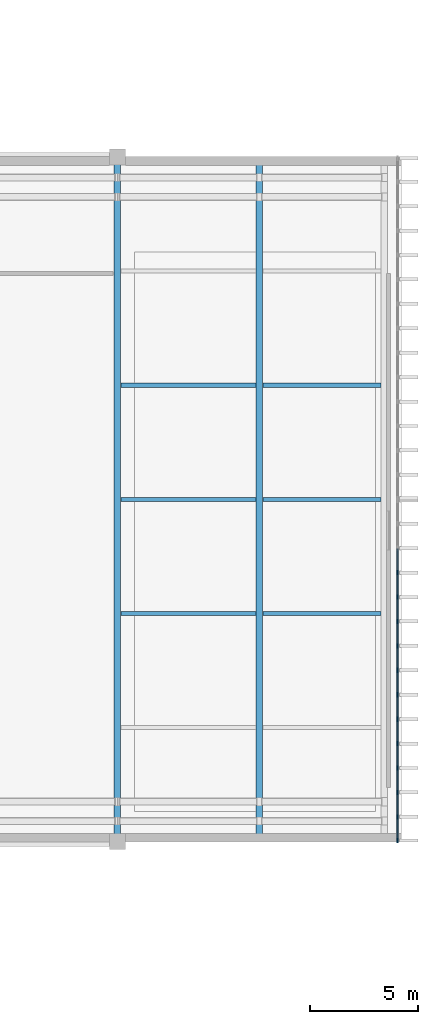
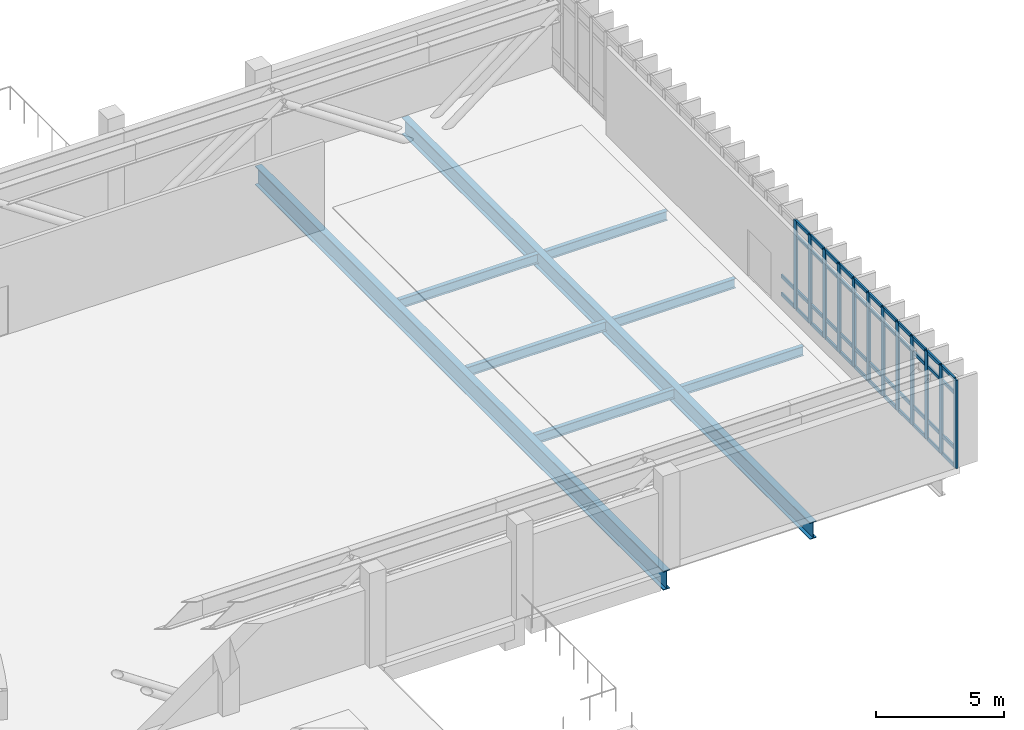
# One storey, part 23 of 54: 58 members, 8 beams, 1 element without a shape of its own.
"""IFC4 building model written with IfcOpenShell, lengths in metres."""

from ifc_helpers import new_model, si_unit, direction, frame, origin, origin_2d, place, context, subcontext, project, spatial, rectangle, i_section, extrude, material, layer, layer_set, material_profile, profile_set, type_object, element, aggregate, save


model = new_model("IFC4")

# Units and contexts
model_context = context("Model", 3, precision=1e-05, world=origin(), true_north=direction((0.0, 1.0)))
body_context = subcontext(model_context, "Body", "Model", "MODEL_VIEW")
ifc_project = project(units=[si_unit("LENGTHUNIT", "METRE"), si_unit("AREAUNIT", "SQUARE_METRE"), si_unit("VOLUMEUNIT", "CUBIC_METRE"), si_unit("PLANEANGLEUNIT", "RADIAN"), si_unit("MASSUNIT", "GRAM", prefix="KILO")], contexts=[model_context])

# Site, building, storey
site_placement = place(None, origin())
site = spatial("IfcSite", under=ifc_project, at=site_placement, CompositionType="ELEMENT")
building_placement = place(site_placement, origin())
building = spatial("IfcBuilding", under=site, at=building_placement, Name="Kelarvand Opera House", CompositionType="ELEMENT")
storey_placement = place(building_placement, frame((0.0, 0.0, 15.0)))
storey = spatial("IfcBuildingStorey", under=building, at=storey_placement, Name="L03", CompositionType="ELEMENT", Elevation=15.0)

# Curtain wall, members
ifc_material_1 = material(Name="Thermally broken aluminium and low-E glazing", Category="aluminium")
ifc_layer = layer(ifc_material_1, 0.219970703125, Name="Thermally broken aluminium and low-E glazing", Category="aluminium")
ifc_layer_set = layer_set([ifc_layer], Name="Thermally broken aluminium and low-E glazing")
curtain_wall_type = type_object("IfcCurtainWallType", Name="Unitised Low-E Curtain Wall 15886x4200 Mod 1150 CWF-07", PredefinedType="USERDEFINED", material=ifc_layer_set)
curtain_wall_placement = place(storey_placement, origin())
curtain_wall = element("IfcCurtainWall", 1, at=curtain_wall_placement, inside=storey, type_object=curtain_wall_type, Name="V1 L03 Curtain Wall CWF-07 (22)", ObjectType="UNITISED CURTAIN WALL", PredefinedType="USERDEFINED")
ifc_material_2 = material(Name="Thermally broken anodised aluminium", Category="aluminium")
ifc_material_profile_1 = material_profile(ifc_material_2, rectangle(XDim=0.074951171875, YDim=0.219970703125, at=origin_2d()), Name="ALU MULLION 75x220", Category="aluminium")
ifc_profile_set_1 = profile_set([ifc_material_profile_1], Name="Thermally broken anodised aluminium")
member_type_1 = type_object("IfcMemberType", Name="Curtain Wall Mullion 75x220 Heavy Plaza", PredefinedType="MULLION", material=ifc_profile_set_1)
member_1_placement = place(storey_placement, frame((154.820068359375, 59.094970703125, 0.0), z_axis=(0.0, 0.0, 1.0), x_axis=(1.0, 0.0, 0.0)))
member_1 = element("IfcMember", 2, at=member_1_placement, type_object=member_type_1, Name="CWF-07 mullion 4", PredefinedType="MULLION", context=body_context, shape_type="SweptSolid", body=[
    extrude(rectangle(XDim=0.074951171875, YDim=0.219970703125, at=origin_2d()), origin(), (0.0, 0.0, 1.0), 4.199951171875),
])
member_2_placement = place(storey_placement, frame((154.820068359375, 57.9599609375, 0.0), z_axis=(0.0, 0.0, 1.0), x_axis=(1.0, 0.0, 0.0)))
member_2 = element("IfcMember", 3, at=member_2_placement, type_object=member_type_1, Name="CWF-07 mullion 5", PredefinedType="MULLION", context=body_context, shape_type="SweptSolid", body=[
    extrude(rectangle(XDim=0.074951171875, YDim=0.219970703125, at=origin_2d()), origin(), (0.0, 0.0, 1.0), 4.199951171875),
])
member_3_placement = place(storey_placement, frame((154.820068359375, 56.824951171875, 0.0), z_axis=(0.0, 0.0, 1.0), x_axis=(1.0, 0.0, 0.0)))
member_3 = element("IfcMember", 4, at=member_3_placement, type_object=member_type_1, Name="CWF-07 mullion 6", PredefinedType="MULLION", context=body_context, shape_type="SweptSolid", body=[
    extrude(rectangle(XDim=0.074951171875, YDim=0.219970703125, at=origin_2d()), origin(), (0.0, 0.0, 1.0), 4.199951171875),
])
member_4_placement = place(storey_placement, frame((154.820068359375, 55.68994140625, 0.0), z_axis=(0.0, 0.0, 1.0), x_axis=(1.0, 0.0, 0.0)))
member_4 = element("IfcMember", 5, at=member_4_placement, type_object=member_type_1, Name="CWF-07 mullion 7", PredefinedType="MULLION", context=body_context, shape_type="SweptSolid", body=[
    extrude(rectangle(XDim=0.074951171875, YDim=0.219970703125, at=origin_2d()), origin(), (0.0, 0.0, 1.0), 4.199951171875),
])
member_5_placement = place(storey_placement, frame((154.820068359375, 54.554931640625, 0.0), z_axis=(0.0, 0.0, 1.0), x_axis=(1.0, 0.0, 0.0)))
member_5 = element("IfcMember", 6, at=member_5_placement, type_object=member_type_1, Name="CWF-07 mullion 8", PredefinedType="MULLION", context=body_context, shape_type="SweptSolid", body=[
    extrude(rectangle(XDim=0.074951171875, YDim=0.219970703125, at=origin_2d()), origin(), (0.0, 0.0, 1.0), 4.199951171875),
])
member_6_placement = place(storey_placement, frame((154.820068359375, 53.419921875, 0.0), z_axis=(0.0, 0.0, 1.0), x_axis=(1.0, 0.0, 0.0)))
member_6 = element("IfcMember", 7, at=member_6_placement, type_object=member_type_1, Name="CWF-07 mullion 9", PredefinedType="MULLION", context=body_context, shape_type="SweptSolid", body=[
    extrude(rectangle(XDim=0.074951171875, YDim=0.219970703125, at=origin_2d()), origin(), (0.0, 0.0, 1.0), 4.199951171875),
])
member_7_placement = place(storey_placement, frame((154.820068359375, 52.284912109375, 0.0), z_axis=(0.0, 0.0, 1.0), x_axis=(1.0, 0.0, 0.0)))
member_7 = element("IfcMember", 8, at=member_7_placement, type_object=member_type_1, Name="CWF-07 mullion 10", PredefinedType="MULLION", context=body_context, shape_type="SweptSolid", body=[
    extrude(rectangle(XDim=0.074951171875, YDim=0.219970703125, at=origin_2d()), origin(), (0.0, 0.0, 1.0), 4.199951171875),
])
member_8_placement = place(storey_placement, frame((154.820068359375, 51.14990234375, 0.0), z_axis=(0.0, 0.0, 1.0), x_axis=(1.0, 0.0, 0.0)))
member_8 = element("IfcMember", 9, at=member_8_placement, type_object=member_type_1, Name="CWF-07 mullion 11", PredefinedType="MULLION", context=body_context, shape_type="SweptSolid", body=[
    extrude(rectangle(XDim=0.074951171875, YDim=0.219970703125, at=origin_2d()), origin(), (0.0, 0.0, 1.0), 4.199951171875),
])
member_9_placement = place(storey_placement, frame((154.820068359375, 50.014892578125, 0.0), z_axis=(0.0, 0.0, 1.0), x_axis=(1.0, 0.0, 0.0)))
member_9 = element("IfcMember", 10, at=member_9_placement, type_object=member_type_1, Name="CWF-07 mullion 12", PredefinedType="MULLION", context=body_context, shape_type="SweptSolid", body=[
    extrude(rectangle(XDim=0.074951171875, YDim=0.219970703125, at=origin_2d()), origin(), (0.0, 0.0, 1.0), 4.199951171875),
])
member_10_placement = place(storey_placement, frame((154.820068359375, 48.8798828125, 0.0), z_axis=(0.0, 0.0, 1.0), x_axis=(1.0, 0.0, 0.0)))
member_10 = element("IfcMember", 11, at=member_10_placement, type_object=member_type_1, Name="CWF-07 mullion 13", PredefinedType="MULLION", context=body_context, shape_type="SweptSolid", body=[
    extrude(rectangle(XDim=0.074951171875, YDim=0.219970703125, at=origin_2d()), origin(), (0.0, 0.0, 1.0), 4.199951171875),
])
member_11_placement = place(storey_placement, frame((154.820068359375, 47.7451171875, 0.0), z_axis=(0.0, 0.0, 1.0), x_axis=(1.0, 0.0, 0.0)))
member_11 = element("IfcMember", 12, at=member_11_placement, type_object=member_type_1, Name="CWF-07 mullion 14", PredefinedType="MULLION", context=body_context, shape_type="SweptSolid", body=[
    extrude(rectangle(XDim=0.074951171875, YDim=0.219970703125, at=origin_2d()), origin(), (0.0, 0.0, 1.0), 4.199951171875),
])
member_12_placement = place(storey_placement, frame((154.820068359375, 46.6474609375, 0.0), z_axis=(0.0, 0.0, 1.0), x_axis=(1.0, 0.0, 0.0)))
member_12 = element("IfcMember", 13, at=member_12_placement, type_object=member_type_1, Name="CWF-07 mullion 15", PredefinedType="MULLION", context=body_context, shape_type="SweptSolid", body=[
    extrude(rectangle(XDim=0.074951171875, YDim=0.219970703125, at=origin_2d()), origin(), (0.0, 0.0, 1.0), 4.199951171875),
])
ifc_material_profile_2 = material_profile(ifc_material_2, rectangle(XDim=0.074951171875, YDim=0.159912109375, at=origin_2d()), Name="ALU TRANSOM 75x160", Category="aluminium")
ifc_profile_set_2 = profile_set([ifc_material_profile_2], Name="Thermally broken anodised aluminium")
member_type_2 = type_object("IfcMemberType", Name="Curtain Wall Transom 75x160 Heavy Plaza", PredefinedType="USERDEFINED", material=ifc_profile_set_2)
member_13_placement = place(storey_placement, frame((154.820068359375, 60.1923828125, 0.03759765625), z_axis=(0.0, -1.0, 0.0), x_axis=(1.0, 0.0, 0.0)))
member_13 = element("IfcMember", 14, at=member_13_placement, type_object=member_type_2, Name="CWF-07 transom 3.1", ObjectType="TRANSOM", PredefinedType="USERDEFINED", context=body_context, shape_type="SweptSolid", body=[
    extrude(rectangle(XDim=0.074951171875, YDim=0.159912109375, at=origin_2d()), origin(), (0.0, 0.0, 1.0), 1.059814453125),
])
member_14_placement = place(storey_placement, frame((154.820068359375, 60.1923828125, 0.89990234375), z_axis=(0.0, -1.0, 0.0), x_axis=(1.0, 0.0, 0.0)))
member_14 = element("IfcMember", 15, at=member_14_placement, type_object=member_type_2, Name="CWF-07 transom 3.2", ObjectType="TRANSOM", PredefinedType="USERDEFINED", context=body_context, shape_type="SweptSolid", body=[
    extrude(rectangle(XDim=0.074951171875, YDim=0.159912109375, at=origin_2d()), origin(), (0.0, 0.0, 1.0), 1.059814453125),
])
member_15_placement = place(storey_placement, frame((154.820068359375, 59.0576171875, 0.03759765625), z_axis=(0.0, -1.0, 0.0), x_axis=(1.0, 0.0, 0.0)))
member_15 = element("IfcMember", 16, at=member_15_placement, type_object=member_type_2, Name="CWF-07 transom 4.1", ObjectType="TRANSOM", PredefinedType="USERDEFINED", context=body_context, shape_type="SweptSolid", body=[
    extrude(rectangle(XDim=0.074951171875, YDim=0.159912109375, at=origin_2d()), origin(), (0.0, 0.0, 1.0), 1.06005859375),
])
member_16_placement = place(storey_placement, frame((154.820068359375, 59.0576171875, 0.89990234375), z_axis=(0.0, -1.0, 0.0), x_axis=(1.0, 0.0, 0.0)))
member_16 = element("IfcMember", 17, at=member_16_placement, type_object=member_type_2, Name="CWF-07 transom 4.2", ObjectType="TRANSOM", PredefinedType="USERDEFINED", context=body_context, shape_type="SweptSolid", body=[
    extrude(rectangle(XDim=0.074951171875, YDim=0.159912109375, at=origin_2d()), origin(), (0.0, 0.0, 1.0), 1.06005859375),
])
member_17_placement = place(storey_placement, frame((154.820068359375, 59.0576171875, 3.5), z_axis=(0.0, -1.0, 0.0), x_axis=(1.0, 0.0, 0.0)))
member_17 = element("IfcMember", 18, at=member_17_placement, type_object=member_type_2, Name="CWF-07 transom 4.3", ObjectType="TRANSOM", PredefinedType="USERDEFINED", context=body_context, shape_type="SweptSolid", body=[
    extrude(rectangle(XDim=0.074951171875, YDim=0.159912109375, at=origin_2d()), origin(), (0.0, 0.0, 1.0), 1.06005859375),
])
member_18_placement = place(storey_placement, frame((154.820068359375, 59.0576171875, 4.16259765625), z_axis=(0.0, -1.0, 0.0), x_axis=(1.0, 0.0, 0.0)))
member_18 = element("IfcMember", 19, at=member_18_placement, type_object=member_type_2, Name="CWF-07 transom 4.4", ObjectType="TRANSOM", PredefinedType="USERDEFINED", context=body_context, shape_type="SweptSolid", body=[
    extrude(rectangle(XDim=0.074951171875, YDim=0.159912109375, at=origin_2d()), origin(), (0.0, 0.0, 1.0), 1.06005859375),
])
member_19_placement = place(storey_placement, frame((154.820068359375, 57.922607421875, 0.03759765625), z_axis=(0.0, -1.0, 0.0), x_axis=(1.0, 0.0, 0.0)))
member_19 = element("IfcMember", 20, at=member_19_placement, type_object=member_type_2, Name="CWF-07 transom 5.1", ObjectType="TRANSOM", PredefinedType="USERDEFINED", context=body_context, shape_type="SweptSolid", body=[
    extrude(rectangle(XDim=0.074951171875, YDim=0.159912109375, at=origin_2d()), origin(), (0.0, 0.0, 1.0), 1.06005859375),
])
member_20_placement = place(storey_placement, frame((154.820068359375, 57.922607421875, 0.89990234375), z_axis=(0.0, -1.0, 0.0), x_axis=(1.0, 0.0, 0.0)))
member_20 = element("IfcMember", 21, at=member_20_placement, type_object=member_type_2, Name="CWF-07 transom 5.2", ObjectType="TRANSOM", PredefinedType="USERDEFINED", context=body_context, shape_type="SweptSolid", body=[
    extrude(rectangle(XDim=0.074951171875, YDim=0.159912109375, at=origin_2d()), origin(), (0.0, 0.0, 1.0), 1.06005859375),
])
member_21_placement = place(storey_placement, frame((154.820068359375, 57.922607421875, 3.5), z_axis=(0.0, -1.0, 0.0), x_axis=(1.0, 0.0, 0.0)))
member_21 = element("IfcMember", 22, at=member_21_placement, type_object=member_type_2, Name="CWF-07 transom 5.3", ObjectType="TRANSOM", PredefinedType="USERDEFINED", context=body_context, shape_type="SweptSolid", body=[
    extrude(rectangle(XDim=0.074951171875, YDim=0.159912109375, at=origin_2d()), origin(), (0.0, 0.0, 1.0), 1.06005859375),
])
member_22_placement = place(storey_placement, frame((154.820068359375, 57.922607421875, 4.16259765625), z_axis=(0.0, -1.0, 0.0), x_axis=(1.0, 0.0, 0.0)))
member_22 = element("IfcMember", 23, at=member_22_placement, type_object=member_type_2, Name="CWF-07 transom 5.4", ObjectType="TRANSOM", PredefinedType="USERDEFINED", context=body_context, shape_type="SweptSolid", body=[
    extrude(rectangle(XDim=0.074951171875, YDim=0.159912109375, at=origin_2d()), origin(), (0.0, 0.0, 1.0), 1.06005859375),
])
member_23_placement = place(storey_placement, frame((154.820068359375, 56.78759765625, 0.03759765625), z_axis=(0.0, -1.0, 0.0), x_axis=(1.0, 0.0, 0.0)))
member_23 = element("IfcMember", 24, at=member_23_placement, type_object=member_type_2, Name="CWF-07 transom 6.1", ObjectType="TRANSOM", PredefinedType="USERDEFINED", context=body_context, shape_type="SweptSolid", body=[
    extrude(rectangle(XDim=0.074951171875, YDim=0.159912109375, at=origin_2d()), origin(), (0.0, 0.0, 1.0), 1.06005859375),
])
member_24_placement = place(storey_placement, frame((154.820068359375, 56.78759765625, 0.89990234375), z_axis=(0.0, -1.0, 0.0), x_axis=(1.0, 0.0, 0.0)))
member_24 = element("IfcMember", 25, at=member_24_placement, type_object=member_type_2, Name="CWF-07 transom 6.2", ObjectType="TRANSOM", PredefinedType="USERDEFINED", context=body_context, shape_type="SweptSolid", body=[
    extrude(rectangle(XDim=0.074951171875, YDim=0.159912109375, at=origin_2d()), origin(), (0.0, 0.0, 1.0), 1.06005859375),
])
member_25_placement = place(storey_placement, frame((154.820068359375, 56.78759765625, 3.5), z_axis=(0.0, -1.0, 0.0), x_axis=(1.0, 0.0, 0.0)))
member_25 = element("IfcMember", 26, at=member_25_placement, type_object=member_type_2, Name="CWF-07 transom 6.3", ObjectType="TRANSOM", PredefinedType="USERDEFINED", context=body_context, shape_type="SweptSolid", body=[
    extrude(rectangle(XDim=0.074951171875, YDim=0.159912109375, at=origin_2d()), origin(), (0.0, 0.0, 1.0), 1.06005859375),
])
member_26_placement = place(storey_placement, frame((154.820068359375, 56.78759765625, 4.16259765625), z_axis=(0.0, -1.0, 0.0), x_axis=(1.0, 0.0, 0.0)))
member_26 = element("IfcMember", 27, at=member_26_placement, type_object=member_type_2, Name="CWF-07 transom 6.4", ObjectType="TRANSOM", PredefinedType="USERDEFINED", context=body_context, shape_type="SweptSolid", body=[
    extrude(rectangle(XDim=0.074951171875, YDim=0.159912109375, at=origin_2d()), origin(), (0.0, 0.0, 1.0), 1.06005859375),
])
member_27_placement = place(storey_placement, frame((154.820068359375, 55.652587890625, 0.03759765625), z_axis=(0.0, -1.0, 0.0), x_axis=(1.0, 0.0, 0.0)))
member_27 = element("IfcMember", 28, at=member_27_placement, type_object=member_type_2, Name="CWF-07 transom 7.1", ObjectType="TRANSOM", PredefinedType="USERDEFINED", context=body_context, shape_type="SweptSolid", body=[
    extrude(rectangle(XDim=0.074951171875, YDim=0.159912109375, at=origin_2d()), origin(), (0.0, 0.0, 1.0), 1.06005859375),
])
member_28_placement = place(storey_placement, frame((154.820068359375, 55.652587890625, 0.89990234375), z_axis=(0.0, -1.0, 0.0), x_axis=(1.0, 0.0, 0.0)))
member_28 = element("IfcMember", 29, at=member_28_placement, type_object=member_type_2, Name="CWF-07 transom 7.2", ObjectType="TRANSOM", PredefinedType="USERDEFINED", context=body_context, shape_type="SweptSolid", body=[
    extrude(rectangle(XDim=0.074951171875, YDim=0.159912109375, at=origin_2d()), origin(), (0.0, 0.0, 1.0), 1.06005859375),
])
member_29_placement = place(storey_placement, frame((154.820068359375, 55.652587890625, 3.5), z_axis=(0.0, -1.0, 0.0), x_axis=(1.0, 0.0, 0.0)))
member_29 = element("IfcMember", 30, at=member_29_placement, type_object=member_type_2, Name="CWF-07 transom 7.3", ObjectType="TRANSOM", PredefinedType="USERDEFINED", context=body_context, shape_type="SweptSolid", body=[
    extrude(rectangle(XDim=0.074951171875, YDim=0.159912109375, at=origin_2d()), origin(), (0.0, 0.0, 1.0), 1.06005859375),
])
member_30_placement = place(storey_placement, frame((154.820068359375, 55.652587890625, 4.16259765625), z_axis=(0.0, -1.0, 0.0), x_axis=(1.0, 0.0, 0.0)))
member_30 = element("IfcMember", 31, at=member_30_placement, type_object=member_type_2, Name="CWF-07 transom 7.4", ObjectType="TRANSOM", PredefinedType="USERDEFINED", context=body_context, shape_type="SweptSolid", body=[
    extrude(rectangle(XDim=0.074951171875, YDim=0.159912109375, at=origin_2d()), origin(), (0.0, 0.0, 1.0), 1.06005859375),
])
member_31_placement = place(storey_placement, frame((154.820068359375, 54.517578125, 0.03759765625), z_axis=(0.0, -1.0, 0.0), x_axis=(1.0, 0.0, 0.0)))
member_31 = element("IfcMember", 32, at=member_31_placement, type_object=member_type_2, Name="CWF-07 transom 8.1", ObjectType="TRANSOM", PredefinedType="USERDEFINED", context=body_context, shape_type="SweptSolid", body=[
    extrude(rectangle(XDim=0.074951171875, YDim=0.159912109375, at=origin_2d()), origin(), (0.0, 0.0, 1.0), 1.06005859375),
])
member_32_placement = place(storey_placement, frame((154.820068359375, 54.517578125, 0.89990234375), z_axis=(0.0, -1.0, 0.0), x_axis=(1.0, 0.0, 0.0)))
member_32 = element("IfcMember", 33, at=member_32_placement, type_object=member_type_2, Name="CWF-07 transom 8.2", ObjectType="TRANSOM", PredefinedType="USERDEFINED", context=body_context, shape_type="SweptSolid", body=[
    extrude(rectangle(XDim=0.074951171875, YDim=0.159912109375, at=origin_2d()), origin(), (0.0, 0.0, 1.0), 1.06005859375),
])
member_33_placement = place(storey_placement, frame((154.820068359375, 54.517578125, 3.5), z_axis=(0.0, -1.0, 0.0), x_axis=(1.0, 0.0, 0.0)))
member_33 = element("IfcMember", 34, at=member_33_placement, type_object=member_type_2, Name="CWF-07 transom 8.3", ObjectType="TRANSOM", PredefinedType="USERDEFINED", context=body_context, shape_type="SweptSolid", body=[
    extrude(rectangle(XDim=0.074951171875, YDim=0.159912109375, at=origin_2d()), origin(), (0.0, 0.0, 1.0), 1.06005859375),
])
member_34_placement = place(storey_placement, frame((154.820068359375, 54.517578125, 4.16259765625), z_axis=(0.0, -1.0, 0.0), x_axis=(1.0, 0.0, 0.0)))
member_34 = element("IfcMember", 35, at=member_34_placement, type_object=member_type_2, Name="CWF-07 transom 8.4", ObjectType="TRANSOM", PredefinedType="USERDEFINED", context=body_context, shape_type="SweptSolid", body=[
    extrude(rectangle(XDim=0.074951171875, YDim=0.159912109375, at=origin_2d()), origin(), (0.0, 0.0, 1.0), 1.06005859375),
])
member_35_placement = place(storey_placement, frame((154.820068359375, 53.382568359375, 0.03759765625), z_axis=(0.0, -1.0, 0.0), x_axis=(1.0, 0.0, 0.0)))
member_35 = element("IfcMember", 36, at=member_35_placement, type_object=member_type_2, Name="CWF-07 transom 9.1", ObjectType="TRANSOM", PredefinedType="USERDEFINED", context=body_context, shape_type="SweptSolid", body=[
    extrude(rectangle(XDim=0.074951171875, YDim=0.159912109375, at=origin_2d()), origin(), (0.0, 0.0, 1.0), 1.06005859375),
])
member_36_placement = place(storey_placement, frame((154.820068359375, 53.382568359375, 0.89990234375), z_axis=(0.0, -1.0, 0.0), x_axis=(1.0, 0.0, 0.0)))
member_36 = element("IfcMember", 37, at=member_36_placement, type_object=member_type_2, Name="CWF-07 transom 9.2", ObjectType="TRANSOM", PredefinedType="USERDEFINED", context=body_context, shape_type="SweptSolid", body=[
    extrude(rectangle(XDim=0.074951171875, YDim=0.159912109375, at=origin_2d()), origin(), (0.0, 0.0, 1.0), 1.06005859375),
])
member_37_placement = place(storey_placement, frame((154.820068359375, 53.382568359375, 3.5), z_axis=(0.0, -1.0, 0.0), x_axis=(1.0, 0.0, 0.0)))
member_37 = element("IfcMember", 38, at=member_37_placement, type_object=member_type_2, Name="CWF-07 transom 9.3", ObjectType="TRANSOM", PredefinedType="USERDEFINED", context=body_context, shape_type="SweptSolid", body=[
    extrude(rectangle(XDim=0.074951171875, YDim=0.159912109375, at=origin_2d()), origin(), (0.0, 0.0, 1.0), 1.06005859375),
])
member_38_placement = place(storey_placement, frame((154.820068359375, 53.382568359375, 4.16259765625), z_axis=(0.0, -1.0, 0.0), x_axis=(1.0, 0.0, 0.0)))
member_38 = element("IfcMember", 39, at=member_38_placement, type_object=member_type_2, Name="CWF-07 transom 9.4", ObjectType="TRANSOM", PredefinedType="USERDEFINED", context=body_context, shape_type="SweptSolid", body=[
    extrude(rectangle(XDim=0.074951171875, YDim=0.159912109375, at=origin_2d()), origin(), (0.0, 0.0, 1.0), 1.06005859375),
])
member_39_placement = place(storey_placement, frame((154.820068359375, 52.24755859375, 0.03759765625), z_axis=(0.0, -1.0, 0.0), x_axis=(1.0, 0.0, 0.0)))
member_39 = element("IfcMember", 40, at=member_39_placement, type_object=member_type_2, Name="CWF-07 transom 10.1", ObjectType="TRANSOM", PredefinedType="USERDEFINED", context=body_context, shape_type="SweptSolid", body=[
    extrude(rectangle(XDim=0.074951171875, YDim=0.159912109375, at=origin_2d()), origin(), (0.0, 0.0, 1.0), 1.06005859375),
])
member_40_placement = place(storey_placement, frame((154.820068359375, 52.24755859375, 0.89990234375), z_axis=(0.0, -1.0, 0.0), x_axis=(1.0, 0.0, 0.0)))
member_40 = element("IfcMember", 41, at=member_40_placement, type_object=member_type_2, Name="CWF-07 transom 10.2", ObjectType="TRANSOM", PredefinedType="USERDEFINED", context=body_context, shape_type="SweptSolid", body=[
    extrude(rectangle(XDim=0.074951171875, YDim=0.159912109375, at=origin_2d()), origin(), (0.0, 0.0, 1.0), 1.06005859375),
])
member_41_placement = place(storey_placement, frame((154.820068359375, 52.24755859375, 3.5), z_axis=(0.0, -1.0, 0.0), x_axis=(1.0, 0.0, 0.0)))
member_41 = element("IfcMember", 42, at=member_41_placement, type_object=member_type_2, Name="CWF-07 transom 10.3", ObjectType="TRANSOM", PredefinedType="USERDEFINED", context=body_context, shape_type="SweptSolid", body=[
    extrude(rectangle(XDim=0.074951171875, YDim=0.159912109375, at=origin_2d()), origin(), (0.0, 0.0, 1.0), 1.06005859375),
])
member_42_placement = place(storey_placement, frame((154.820068359375, 52.24755859375, 4.16259765625), z_axis=(0.0, -1.0, 0.0), x_axis=(1.0, 0.0, 0.0)))
member_42 = element("IfcMember", 43, at=member_42_placement, type_object=member_type_2, Name="CWF-07 transom 10.4", ObjectType="TRANSOM", PredefinedType="USERDEFINED", context=body_context, shape_type="SweptSolid", body=[
    extrude(rectangle(XDim=0.074951171875, YDim=0.159912109375, at=origin_2d()), origin(), (0.0, 0.0, 1.0), 1.06005859375),
])
member_43_placement = place(storey_placement, frame((154.820068359375, 51.112548828125, 0.03759765625), z_axis=(0.0, -1.0, 0.0), x_axis=(1.0, 0.0, 0.0)))
member_43 = element("IfcMember", 44, at=member_43_placement, type_object=member_type_2, Name="CWF-07 transom 11.1", ObjectType="TRANSOM", PredefinedType="USERDEFINED", context=body_context, shape_type="SweptSolid", body=[
    extrude(rectangle(XDim=0.074951171875, YDim=0.159912109375, at=origin_2d()), origin(), (0.0, 0.0, 1.0), 1.06005859375),
])
member_44_placement = place(storey_placement, frame((154.820068359375, 51.112548828125, 0.89990234375), z_axis=(0.0, -1.0, 0.0), x_axis=(1.0, 0.0, 0.0)))
member_44 = element("IfcMember", 45, at=member_44_placement, type_object=member_type_2, Name="CWF-07 transom 11.2", ObjectType="TRANSOM", PredefinedType="USERDEFINED", context=body_context, shape_type="SweptSolid", body=[
    extrude(rectangle(XDim=0.074951171875, YDim=0.159912109375, at=origin_2d()), origin(), (0.0, 0.0, 1.0), 1.06005859375),
])
member_45_placement = place(storey_placement, frame((154.820068359375, 51.112548828125, 3.5), z_axis=(0.0, -1.0, 0.0), x_axis=(1.0, 0.0, 0.0)))
member_45 = element("IfcMember", 46, at=member_45_placement, type_object=member_type_2, Name="CWF-07 transom 11.3", ObjectType="TRANSOM", PredefinedType="USERDEFINED", context=body_context, shape_type="SweptSolid", body=[
    extrude(rectangle(XDim=0.074951171875, YDim=0.159912109375, at=origin_2d()), origin(), (0.0, 0.0, 1.0), 1.06005859375),
])
member_46_placement = place(storey_placement, frame((154.820068359375, 51.112548828125, 4.16259765625), z_axis=(0.0, -1.0, 0.0), x_axis=(1.0, 0.0, 0.0)))
member_46 = element("IfcMember", 47, at=member_46_placement, type_object=member_type_2, Name="CWF-07 transom 11.4", ObjectType="TRANSOM", PredefinedType="USERDEFINED", context=body_context, shape_type="SweptSolid", body=[
    extrude(rectangle(XDim=0.074951171875, YDim=0.159912109375, at=origin_2d()), origin(), (0.0, 0.0, 1.0), 1.06005859375),
])
member_47_placement = place(storey_placement, frame((154.820068359375, 49.9775390625, 0.03759765625), z_axis=(0.0, -1.0, 0.0), x_axis=(1.0, 0.0, 0.0)))
member_47 = element("IfcMember", 48, at=member_47_placement, type_object=member_type_2, Name="CWF-07 transom 12.1", ObjectType="TRANSOM", PredefinedType="USERDEFINED", context=body_context, shape_type="SweptSolid", body=[
    extrude(rectangle(XDim=0.074951171875, YDim=0.159912109375, at=origin_2d()), origin(), (0.0, 0.0, 1.0), 1.06005859375),
])
member_48_placement = place(storey_placement, frame((154.820068359375, 49.9775390625, 0.89990234375), z_axis=(0.0, -1.0, 0.0), x_axis=(1.0, 0.0, 0.0)))
member_48 = element("IfcMember", 49, at=member_48_placement, type_object=member_type_2, Name="CWF-07 transom 12.2", ObjectType="TRANSOM", PredefinedType="USERDEFINED", context=body_context, shape_type="SweptSolid", body=[
    extrude(rectangle(XDim=0.074951171875, YDim=0.159912109375, at=origin_2d()), origin(), (0.0, 0.0, 1.0), 1.06005859375),
])
member_49_placement = place(storey_placement, frame((154.820068359375, 49.9775390625, 3.5), z_axis=(0.0, -1.0, 0.0), x_axis=(1.0, 0.0, 0.0)))
member_49 = element("IfcMember", 50, at=member_49_placement, type_object=member_type_2, Name="CWF-07 transom 12.3", ObjectType="TRANSOM", PredefinedType="USERDEFINED", context=body_context, shape_type="SweptSolid", body=[
    extrude(rectangle(XDim=0.074951171875, YDim=0.159912109375, at=origin_2d()), origin(), (0.0, 0.0, 1.0), 1.06005859375),
])
member_50_placement = place(storey_placement, frame((154.820068359375, 49.9775390625, 4.16259765625), z_axis=(0.0, -1.0, 0.0), x_axis=(1.0, 0.0, 0.0)))
member_50 = element("IfcMember", 51, at=member_50_placement, type_object=member_type_2, Name="CWF-07 transom 12.4", ObjectType="TRANSOM", PredefinedType="USERDEFINED", context=body_context, shape_type="SweptSolid", body=[
    extrude(rectangle(XDim=0.074951171875, YDim=0.159912109375, at=origin_2d()), origin(), (0.0, 0.0, 1.0), 1.06005859375),
])
member_51_placement = place(storey_placement, frame((154.820068359375, 48.842529296875, 0.03759765625), z_axis=(0.0, -1.0, 0.0), x_axis=(1.0, 0.0, 0.0)))
member_51 = element("IfcMember", 52, at=member_51_placement, type_object=member_type_2, Name="CWF-07 transom 13.1", ObjectType="TRANSOM", PredefinedType="USERDEFINED", context=body_context, shape_type="SweptSolid", body=[
    extrude(rectangle(XDim=0.074951171875, YDim=0.159912109375, at=origin_2d()), origin(), (0.0, 0.0, 1.0), 1.06005859375),
])
member_52_placement = place(storey_placement, frame((154.820068359375, 48.842529296875, 0.89990234375), z_axis=(0.0, -1.0, 0.0), x_axis=(1.0, 0.0, 0.0)))
member_52 = element("IfcMember", 53, at=member_52_placement, type_object=member_type_2, Name="CWF-07 transom 13.2", ObjectType="TRANSOM", PredefinedType="USERDEFINED", context=body_context, shape_type="SweptSolid", body=[
    extrude(rectangle(XDim=0.074951171875, YDim=0.159912109375, at=origin_2d()), origin(), (0.0, 0.0, 1.0), 1.06005859375),
])
member_53_placement = place(storey_placement, frame((154.820068359375, 48.842529296875, 3.5), z_axis=(0.0, -1.0, 0.0), x_axis=(1.0, 0.0, 0.0)))
member_53 = element("IfcMember", 54, at=member_53_placement, type_object=member_type_2, Name="CWF-07 transom 13.3", ObjectType="TRANSOM", PredefinedType="USERDEFINED", context=body_context, shape_type="SweptSolid", body=[
    extrude(rectangle(XDim=0.074951171875, YDim=0.159912109375, at=origin_2d()), origin(), (0.0, 0.0, 1.0), 1.06005859375),
])
member_54_placement = place(storey_placement, frame((154.820068359375, 48.842529296875, 4.16259765625), z_axis=(0.0, -1.0, 0.0), x_axis=(1.0, 0.0, 0.0)))
member_54 = element("IfcMember", 55, at=member_54_placement, type_object=member_type_2, Name="CWF-07 transom 13.4", ObjectType="TRANSOM", PredefinedType="USERDEFINED", context=body_context, shape_type="SweptSolid", body=[
    extrude(rectangle(XDim=0.074951171875, YDim=0.159912109375, at=origin_2d()), origin(), (0.0, 0.0, 1.0), 1.06005859375),
])
member_55_placement = place(storey_placement, frame((154.820068359375, 47.70751953125, 0.03759765625), z_axis=(0.0, -1.0, 0.0), x_axis=(1.0, 0.0, 0.0)))
member_55 = element("IfcMember", 56, at=member_55_placement, type_object=member_type_2, Name="CWF-07 transom 14.1", ObjectType="TRANSOM", PredefinedType="USERDEFINED", context=body_context, shape_type="SweptSolid", body=[
    extrude(rectangle(XDim=0.074951171875, YDim=0.159912109375, at=origin_2d()), origin(), (0.0, 0.0, 1.0), 1.0224609375),
])
member_56_placement = place(storey_placement, frame((154.820068359375, 47.70751953125, 0.89990234375), z_axis=(0.0, -1.0, 0.0), x_axis=(1.0, 0.0, 0.0)))
member_56 = element("IfcMember", 57, at=member_56_placement, type_object=member_type_2, Name="CWF-07 transom 14.2", ObjectType="TRANSOM", PredefinedType="USERDEFINED", context=body_context, shape_type="SweptSolid", body=[
    extrude(rectangle(XDim=0.074951171875, YDim=0.159912109375, at=origin_2d()), origin(), (0.0, 0.0, 1.0), 1.0224609375),
])
member_57_placement = place(storey_placement, frame((154.820068359375, 47.70751953125, 3.5), z_axis=(0.0, -1.0, 0.0), x_axis=(1.0, 0.0, 0.0)))
member_57 = element("IfcMember", 58, at=member_57_placement, type_object=member_type_2, Name="CWF-07 transom 14.3", ObjectType="TRANSOM", PredefinedType="USERDEFINED", context=body_context, shape_type="SweptSolid", body=[
    extrude(rectangle(XDim=0.074951171875, YDim=0.159912109375, at=origin_2d()), origin(), (0.0, 0.0, 1.0), 1.0224609375),
])
member_58_placement = place(storey_placement, frame((154.820068359375, 47.70751953125, 4.16259765625), z_axis=(0.0, -1.0, 0.0), x_axis=(1.0, 0.0, 0.0)))
member_58 = element("IfcMember", 59, at=member_58_placement, type_object=member_type_2, Name="CWF-07 transom 14.4", ObjectType="TRANSOM", PredefinedType="USERDEFINED", context=body_context, shape_type="SweptSolid", body=[
    extrude(rectangle(XDim=0.074951171875, YDim=0.159912109375, at=origin_2d()), origin(), (0.0, 0.0, 1.0), 1.0224609375),
])
aggregate(curtain_wall, [member_1, member_2, member_3, member_4, member_5, member_6, member_7, member_8, member_9, member_10, member_11, member_12, member_13, member_14, member_15, member_16, member_17, member_18, member_19, member_20, member_21, member_22, member_23, member_24, member_25, member_26, member_27, member_28, member_29, member_30, member_31, member_32, member_33, member_34, member_35, member_36, member_37, member_38, member_39, member_40, member_41, member_42, member_43, member_44, member_45, member_46, member_47, member_48, member_49, member_50, member_51, member_52, member_53, member_54, member_55, member_56, member_57, member_58])

# Beams
ifc_material_3 = material(Name="Steel S355", Category="steel")
ifc_material_profile_3 = material_profile(ifc_material_3, i_section(OverallWidth=0.300048828125, OverallDepth=0.800048828125, WebThickness=0.017578125, FlangeThickness=0.032958984375, at=origin_2d()), Name="HEB 800", Category="steel")
ifc_profile_set_3 = profile_set([ifc_material_profile_3], Name="Steel S355")
beam_type_1 = type_object("IfcBeamType", Name="Structural Beam HEB 800 BM-HEB800", PredefinedType="BEAM", material=ifc_profile_set_3)
beam_1_placement = place(storey_placement, frame((148.39990234375, 46.60009765625, -0.719970703125), z_axis=(0.0, 1.0, 0.0), x_axis=(-1.0, 0.0, 0.0)))
element("IfcBeam", 60, at=beam_1_placement, inside=storey, type_object=beam_type_1, Name="Cantilever Transverse Girder L03 at X=148.4", PredefinedType="BEAM", context=body_context, shape_type="SweptSolid", body=[
    extrude(i_section(OverallWidth=0.300048828125, OverallDepth=0.800048828125, WebThickness=0.017578125, FlangeThickness=0.032958984375, at=origin_2d()), origin(), (0.0, 0.0, 1.0), 31.7998046875),
])
ifc_material_profile_4 = material_profile(ifc_material_3, i_section(OverallWidth=0.300048828125, OverallDepth=0.89990234375, WebThickness=0.0185546875, FlangeThickness=0.034912109375, at=origin_2d()), Name="HEB 900", Category="steel")
ifc_profile_set_4 = profile_set([ifc_material_profile_4], Name="Steel S355")
beam_type_2 = type_object("IfcBeamType", Name="Structural Beam HEB 900 BM-HEB900", PredefinedType="BEAM", material=ifc_profile_set_4)
beam_2_placement = place(storey_placement, frame((141.800048828125, 46.60009765625, -0.77001953125), z_axis=(0.0, 1.0, 0.0), x_axis=(-1.0, 0.0, 0.0)))
element("IfcBeam", 61, at=beam_2_placement, inside=storey, type_object=beam_type_2, Name="Cantilever Transverse Girder L03 at X=141.8", PredefinedType="BEAM", context=body_context, shape_type="SweptSolid", body=[
    extrude(i_section(OverallWidth=0.300048828125, OverallDepth=0.89990234375, WebThickness=0.0185546875, FlangeThickness=0.034912109375, at=origin_2d()), origin(), (0.0, 0.0, 1.0), 31.7998046875),
])
ifc_material_profile_5 = material_profile(ifc_material_3, i_section(OverallWidth=0.18994140625, OverallDepth=0.449951171875, WebThickness=0.009521484375, FlangeThickness=0.0146484375, at=origin_2d()), Name="IPE 450", Category="steel")
ifc_profile_set_5 = profile_set([ifc_material_profile_5], Name="Steel S355")
beam_type_3 = type_object("IfcBeamType", Name="Structural Joist IPE 450 JS-IPE450", PredefinedType="JOIST", material=ifc_profile_set_5)
for number, where, z_axis, x_axis, name in (
    (62, (141.9599609375, 57.199951171875, -0.544921875), (1.0, 0.0, 0.0), (0.0, 1.0, 0.0), "V1 L03 Beam JS-IPE450"),
    (63, (141.9599609375, 62.5, -0.544921875), (1.0, 0.0, 0.0), (0.0, 1.0, 0.0), "V1 L03 Beam JS-IPE450"),
    (64, (141.9599609375, 67.800048828125, -0.544921875), (1.0, 0.0, 0.0), (0.0, 1.0, 0.0), "V1 L03 Beam JS-IPE450"),
):
    element("IfcBeam", number, at=place(storey_placement, frame(where, z_axis=z_axis, x_axis=x_axis)), inside=storey, type_object=beam_type_3, Name=name, PredefinedType="JOIST", context=body_context, shape_type="SweptSolid", body=[
        extrude(i_section(OverallWidth=0.18994140625, OverallDepth=0.449951171875, WebThickness=0.009521484375, FlangeThickness=0.0146484375, at=origin_2d()), origin(), (0.0, 0.0, 1.0), 6.280029296875),
    ])
for number, where, z_axis, x_axis, name in (
    (65, (148.56005859375, 57.199951171875, -0.544921875), (1.0, 0.0, 0.0), (0.0, 1.0, 0.0), "V1 L03 Beam JS-IPE450"),
    (66, (148.56005859375, 62.5, -0.544921875), (1.0, 0.0, 0.0), (0.0, 1.0, 0.0), "V1 L03 Beam JS-IPE450"),
    (67, (148.56005859375, 67.800048828125, -0.544921875), (1.0, 0.0, 0.0), (0.0, 1.0, 0.0), "V1 L03 Beam JS-IPE450"),
):
    element("IfcBeam", number, at=place(storey_placement, frame(where, z_axis=z_axis, x_axis=x_axis)), inside=storey, type_object=beam_type_3, Name=name, PredefinedType="JOIST", context=body_context, shape_type="SweptSolid", body=[
        extrude(i_section(OverallWidth=0.18994140625, OverallDepth=0.449951171875, WebThickness=0.009521484375, FlangeThickness=0.0146484375, at=origin_2d()), origin(), (0.0, 0.0, 1.0), 5.47998046875),
    ])

save(model, "model.ifc")
